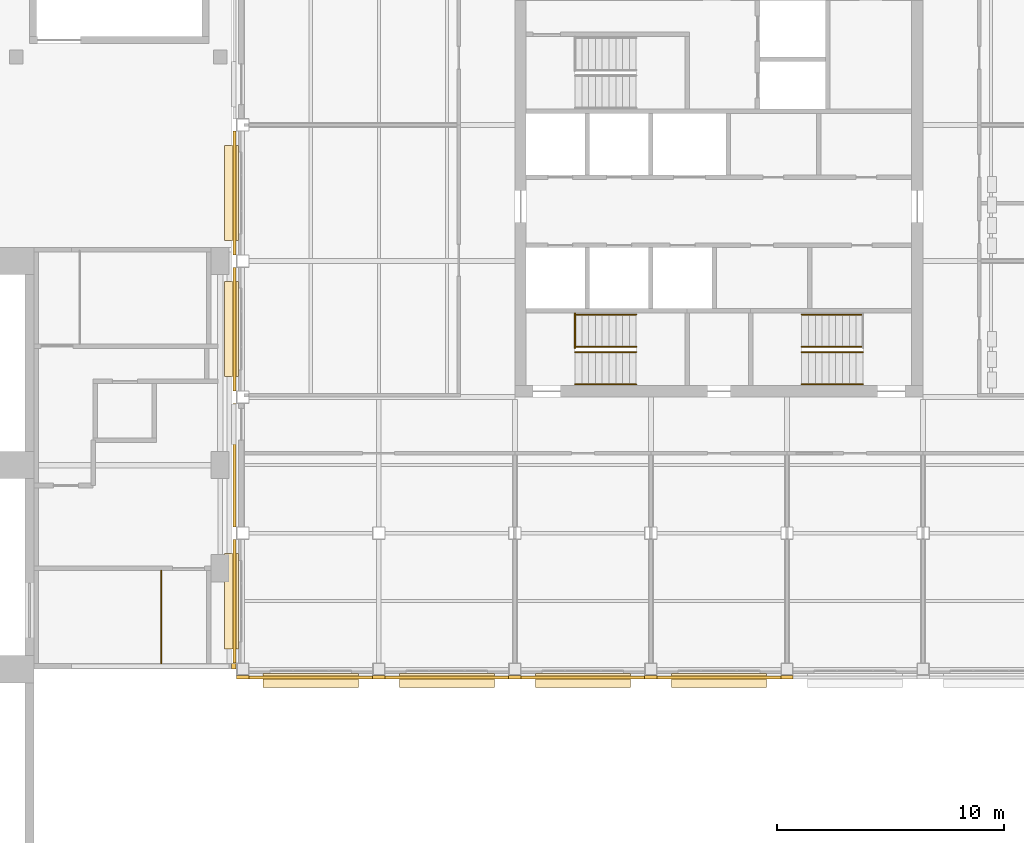
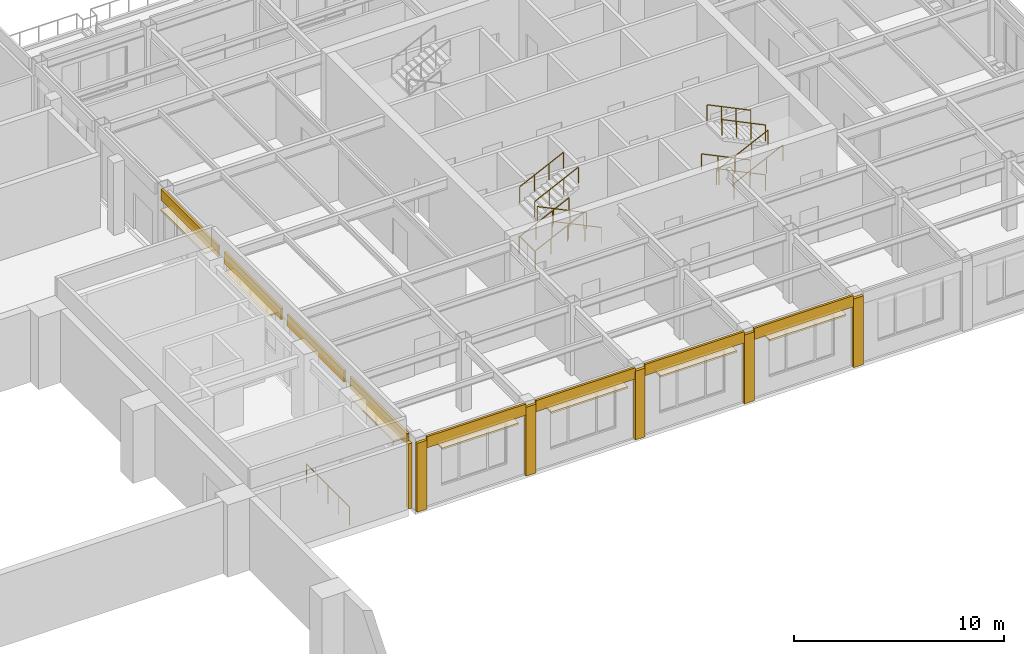
# One storey, part 34 of 39: 21 coverings, 14 railings.
"""IFC4 building model written with IfcOpenShell, lengths in metres."""

from ifc_helpers import new_model, si_unit, direction, frame, origin, origin_2d, place, context, subcontext, project, spatial, polyline, circle, outline, extrude, material, layer, layer_set, type_object, element, save


model = new_model("IFC4")

# Units and contexts
model_context = context("Model", 3, precision=1e-05, world=origin(), true_north=direction((0.0, 1.0)))
body_context = subcontext(model_context, "Body", "Model", "MODEL_VIEW")
ifc_project = project(units=[si_unit("LENGTHUNIT", "METRE"), si_unit("AREAUNIT", "SQUARE_METRE"), si_unit("VOLUMEUNIT", "CUBIC_METRE"), si_unit("PLANEANGLEUNIT", "RADIAN"), si_unit("MASSUNIT", "GRAM", prefix="KILO")], contexts=[model_context])

# Site, building, storey
site_placement = place(None, origin())
site = spatial("IfcSite", under=ifc_project, at=site_placement, CompositionType="ELEMENT")
building_placement = place(site_placement, origin())
building = spatial("IfcBuilding", under=site, at=building_placement, Name="Aravalli Gate Trade Fair Centre", CompositionType="ELEMENT")
storey_placement = place(building_placement, frame((0.0, 0.0, 15.0)))
storey = spatial("IfcBuildingStorey", under=building, at=storey_placement, Name="L03", CompositionType="ELEMENT", Elevation=15.0)

# Coverings
ifc_material_1 = material(Name="Stainless steel joint cover", Category="steel")
ifc_layer_1 = layer(ifc_material_1, 0.199951171875)
ifc_layer_set_1 = layer_set([ifc_layer_1], Name="Stainless steel joint cover")
covering_type_1 = type_object("IfcCoveringType", Name="Link seismic joint cover 200", PredefinedType="CLADDING", material=ifc_layer_set_1)
covering_1_placement = place(storey_placement, origin())
element("IfcCovering", 1, at=covering_1_placement, inside=storey, type_object=covering_type_1, Name="Seismic joint cover L03", PredefinedType="CLADDING", context=body_context, shape_type="SweptSolid", body=[
    extrude(outline(polyline([(159.5, 91.0), (159.699951171875, 91.0), (159.699951171875, 91.25), (159.5, 91.25), (159.5, 91.0)])), origin(), (0.0, 0.0, 1.0), 3.7900390625),
])
ifc_material_2 = material(Name="Terracotta", Category="masonry")
ifc_layer_2 = layer(ifc_material_2, 0.10009765625)
ifc_layer_set_2 = layer_set([ifc_layer_2], Name="Terracotta")
covering_type_2 = type_object("IfcCoveringType", Name="Wing chhajja hood 100", PredefinedType="MOLDING", material=ifc_layer_set_2)
covering_2_placement = place(storey_placement, frame((0.0, 0.0, 3.449951171875)))
element("IfcCovering", 2, at=covering_2_placement, inside=storey, type_object=covering_type_2, Name="Chhajja hood S0 L03", PredefinedType="MOLDING", context=body_context, shape_type="SweptSolid", body=[
    extrude(outline(polyline([(160.89990234375, 90.199951171875), (165.10009765625, 90.199951171875), (165.10009765625, 90.800048828125), (160.89990234375, 90.800048828125), (160.89990234375, 90.199951171875)])), origin(), (0.0, 0.0, 1.0), 0.10009765625),
])
covering_3_placement = place(storey_placement, frame((0.0, 0.0, 3.449951171875)))
element("IfcCovering", 3, at=covering_3_placement, inside=storey, type_object=covering_type_2, Name="Chhajja hood S1 L03", PredefinedType="MOLDING", context=body_context, shape_type="SweptSolid", body=[
    extrude(outline(polyline([(166.89990234375, 90.199951171875), (171.10009765625, 90.199951171875), (171.10009765625, 90.800048828125), (166.89990234375, 90.800048828125), (166.89990234375, 90.199951171875)])), origin(), (0.0, 0.0, 1.0), 0.10009765625),
])
covering_4_placement = place(storey_placement, frame((0.0, 0.0, 3.449951171875)))
element("IfcCovering", 4, at=covering_4_placement, inside=storey, type_object=covering_type_2, Name="Chhajja hood S2 L03", PredefinedType="MOLDING", context=body_context, shape_type="SweptSolid", body=[
    extrude(outline(polyline([(172.89990234375, 90.199951171875), (177.10009765625, 90.199951171875), (177.10009765625, 90.800048828125), (172.89990234375, 90.800048828125), (172.89990234375, 90.199951171875)])), origin(), (0.0, 0.0, 1.0), 0.10009765625),
])
covering_5_placement = place(storey_placement, frame((0.0, 0.0, 3.449951171875)))
element("IfcCovering", 5, at=covering_5_placement, inside=storey, type_object=covering_type_2, Name="Chhajja hood S3 L03", PredefinedType="MOLDING", context=body_context, shape_type="SweptSolid", body=[
    extrude(outline(polyline([(178.89990234375, 90.199951171875), (183.10009765625, 90.199951171875), (183.10009765625, 90.800048828125), (178.89990234375, 90.800048828125), (178.89990234375, 90.199951171875)])), origin(), (0.0, 0.0, 1.0), 0.10009765625),
])
covering_6_placement = place(storey_placement, frame((0.0, 0.0, 3.449951171875)))
element("IfcCovering", 6, at=covering_6_placement, inside=storey, type_object=covering_type_2, Name="Chhajja hood W0 L03", PredefinedType="MOLDING", context=body_context, shape_type="SweptSolid", body=[
    extrude(outline(polyline([(159.199951171875, 91.89990234375), (159.800048828125, 91.89990234375), (159.800048828125, 96.10009765625), (159.199951171875, 96.10009765625), (159.199951171875, 91.89990234375)])), origin(), (0.0, 0.0, 1.0), 0.10009765625),
])
covering_7_placement = place(storey_placement, frame((0.0, 0.0, 3.449951171875)))
element("IfcCovering", 7, at=covering_7_placement, inside=storey, type_object=covering_type_2, Name="Chhajja hood W2 L03", PredefinedType="MOLDING", context=body_context, shape_type="SweptSolid", body=[
    extrude(outline(polyline([(159.199951171875, 103.89990234375), (159.800048828125, 103.89990234375), (159.800048828125, 108.10009765625), (159.199951171875, 108.10009765625), (159.199951171875, 103.89990234375)])), origin(), (0.0, 0.0, 1.0), 0.10009765625),
])
covering_8_placement = place(storey_placement, frame((0.0, 0.0, 3.449951171875)))
element("IfcCovering", 8, at=covering_8_placement, inside=storey, type_object=covering_type_2, Name="Chhajja hood W3 L03", PredefinedType="MOLDING", context=body_context, shape_type="SweptSolid", body=[
    extrude(outline(polyline([(159.199951171875, 109.89990234375), (159.800048828125, 109.89990234375), (159.800048828125, 114.10009765625), (159.199951171875, 114.10009765625), (159.199951171875, 109.89990234375)])), origin(), (0.0, 0.0, 1.0), 0.10009765625),
])
ifc_material_3 = material(Name="Terracotta lattice", Category="masonry")
ifc_layer_3 = layer(ifc_material_3, 0.1201171875)
ifc_layer_set_3 = layer_set([ifc_layer_3], Name="Terracotta lattice")
covering_type_3 = type_object("IfcCoveringType", Name="Wing jali spandrel panel 120", PredefinedType="CLADDING", material=ifc_layer_set_3)
covering_9_placement = place(storey_placement, frame((0.0, 0.0, 3.550048828125)))
element("IfcCovering", 9, at=covering_9_placement, inside=storey, type_object=covering_type_3, Name="Jali spandrel panel S0 L03", PredefinedType="CLADDING", context=body_context, shape_type="SweptSolid", body=[
    extrude(outline(polyline([(160.27490234375, 90.574951171875), (165.72509765625, 90.574951171875), (165.72509765625, 90.695068359375), (160.27490234375, 90.695068359375), (160.27490234375, 90.574951171875)])), origin(), (0.0, 0.0, 1.0), 0.64990234375),
])
covering_10_placement = place(storey_placement, frame((0.0, 0.0, 3.550048828125)))
element("IfcCovering", 10, at=covering_10_placement, inside=storey, type_object=covering_type_3, Name="Jali spandrel panel S1 L03", PredefinedType="CLADDING", context=body_context, shape_type="SweptSolid", body=[
    extrude(outline(polyline([(166.27490234375, 90.574951171875), (171.72509765625, 90.574951171875), (171.72509765625, 90.695068359375), (166.27490234375, 90.695068359375), (166.27490234375, 90.574951171875)])), origin(), (0.0, 0.0, 1.0), 0.64990234375),
])
covering_11_placement = place(storey_placement, frame((0.0, 0.0, 3.550048828125)))
element("IfcCovering", 11, at=covering_11_placement, inside=storey, type_object=covering_type_3, Name="Jali spandrel panel S2 L03", PredefinedType="CLADDING", context=body_context, shape_type="SweptSolid", body=[
    extrude(outline(polyline([(172.27490234375, 90.574951171875), (177.72509765625, 90.574951171875), (177.72509765625, 90.695068359375), (172.27490234375, 90.695068359375), (172.27490234375, 90.574951171875)])), origin(), (0.0, 0.0, 1.0), 0.64990234375),
])
covering_12_placement = place(storey_placement, frame((0.0, 0.0, 3.550048828125)))
element("IfcCovering", 12, at=covering_12_placement, inside=storey, type_object=covering_type_3, Name="Jali spandrel panel S3 L03", PredefinedType="CLADDING", context=body_context, shape_type="SweptSolid", body=[
    extrude(outline(polyline([(178.27490234375, 90.574951171875), (183.72509765625, 90.574951171875), (183.72509765625, 90.695068359375), (178.27490234375, 90.695068359375), (178.27490234375, 90.574951171875)])), origin(), (0.0, 0.0, 1.0), 0.64990234375),
])
ifc_material_4 = material(Name="Glazed terracotta", Category="masonry")
ifc_layer_4 = layer(ifc_material_4, 0.14990234375)
ifc_layer_set_4 = layer_set([ifc_layer_4], Name="Glazed terracotta")
covering_type_4 = type_object("IfcCoveringType", Name="Wing pier casing 150", PredefinedType="CLADDING", material=ifc_layer_set_4)
covering_13_placement = place(storey_placement, origin())
element("IfcCovering", 13, at=covering_13_placement, inside=storey, type_object=covering_type_4, Name="Pier casing 18F S L03", PredefinedType="CLADDING", context=body_context, shape_type="SweptSolid", body=[
    extrude(outline(polyline([(159.72509765625, 90.574951171875), (160.27490234375, 90.574951171875), (160.27490234375, 90.72509765625), (159.72509765625, 90.72509765625), (159.72509765625, 90.574951171875)])), origin(), (0.0, 0.0, 1.0), 4.0),
])
covering_14_placement = place(storey_placement, origin())
element("IfcCovering", 14, at=covering_14_placement, inside=storey, type_object=covering_type_4, Name="Pier casing 19F S L03", PredefinedType="CLADDING", context=body_context, shape_type="SweptSolid", body=[
    extrude(outline(polyline([(165.72509765625, 90.574951171875), (166.27490234375, 90.574951171875), (166.27490234375, 90.72509765625), (165.72509765625, 90.72509765625), (165.72509765625, 90.574951171875)])), origin(), (0.0, 0.0, 1.0), 4.0),
])
covering_15_placement = place(storey_placement, origin())
element("IfcCovering", 15, at=covering_15_placement, inside=storey, type_object=covering_type_4, Name="Pier casing 20F S L03", PredefinedType="CLADDING", context=body_context, shape_type="SweptSolid", body=[
    extrude(outline(polyline([(171.72509765625, 90.574951171875), (172.27490234375, 90.574951171875), (172.27490234375, 90.72509765625), (171.72509765625, 90.72509765625), (171.72509765625, 90.574951171875)])), origin(), (0.0, 0.0, 1.0), 4.0),
])
covering_16_placement = place(storey_placement, origin())
element("IfcCovering", 16, at=covering_16_placement, inside=storey, type_object=covering_type_4, Name="Pier casing 21F S L03", PredefinedType="CLADDING", context=body_context, shape_type="SweptSolid", body=[
    extrude(outline(polyline([(177.72509765625, 90.574951171875), (178.27490234375, 90.574951171875), (178.27490234375, 90.72509765625), (177.72509765625, 90.72509765625), (177.72509765625, 90.574951171875)])), origin(), (0.0, 0.0, 1.0), 4.0),
])
covering_17_placement = place(storey_placement, origin())
element("IfcCovering", 17, at=covering_17_placement, inside=storey, type_object=covering_type_4, Name="Pier casing 22F S L03", PredefinedType="CLADDING", context=body_context, shape_type="SweptSolid", body=[
    extrude(outline(polyline([(183.72509765625, 90.574951171875), (184.27490234375, 90.574951171875), (184.27490234375, 90.72509765625), (183.72509765625, 90.72509765625), (183.72509765625, 90.574951171875)])), origin(), (0.0, 0.0, 1.0), 4.0),
])
ifc_layer_5 = layer(ifc_material_4, 0.1201171875)
ifc_layer_set_5 = layer_set([ifc_layer_5], Name="Glazed terracotta")
covering_type_5 = type_object("IfcCoveringType", Name="Wing spandrel band 120", PredefinedType="CLADDING", material=ifc_layer_set_5)
covering_18_placement = place(storey_placement, frame((0.0, 0.0, 3.550048828125)))
element("IfcCovering", 18, at=covering_18_placement, inside=storey, type_object=covering_type_5, Name="Spandrel band W0 L03", PredefinedType="CLADDING", context=body_context, shape_type="SweptSolid", body=[
    extrude(outline(polyline([(159.574951171875, 91.27490234375), (159.695068359375, 91.27490234375), (159.695068359375, 96.72509765625), (159.574951171875, 96.72509765625), (159.574951171875, 91.27490234375)])), origin(), (0.0, 0.0, 1.0), 0.64990234375),
])
covering_19_placement = place(storey_placement, frame((0.0, 0.0, 3.550048828125)))
element("IfcCovering", 19, at=covering_19_placement, inside=storey, type_object=covering_type_5, Name="Spandrel band W1 L03", PredefinedType="CLADDING", context=body_context, shape_type="SweptSolid", body=[
    extrude(outline(polyline([(159.574951171875, 97.27490234375), (159.695068359375, 97.27490234375), (159.695068359375, 102.72509765625), (159.574951171875, 102.72509765625), (159.574951171875, 97.27490234375)])), origin(), (0.0, 0.0, 1.0), 0.64990234375),
])
covering_20_placement = place(storey_placement, frame((0.0, 0.0, 3.550048828125)))
element("IfcCovering", 20, at=covering_20_placement, inside=storey, type_object=covering_type_5, Name="Spandrel band W2 L03", PredefinedType="CLADDING", context=body_context, shape_type="SweptSolid", body=[
    extrude(outline(polyline([(159.574951171875, 103.27490234375), (159.695068359375, 103.27490234375), (159.695068359375, 108.72509765625), (159.574951171875, 108.72509765625), (159.574951171875, 103.27490234375)])), origin(), (0.0, 0.0, 1.0), 0.64990234375),
])
covering_21_placement = place(storey_placement, frame((0.0, 0.0, 3.550048828125)))
element("IfcCovering", 21, at=covering_21_placement, inside=storey, type_object=covering_type_5, Name="Spandrel band W3 L03", PredefinedType="CLADDING", context=body_context, shape_type="SweptSolid", body=[
    extrude(outline(polyline([(159.574951171875, 109.27490234375), (159.695068359375, 109.27490234375), (159.695068359375, 114.72509765625), (159.574951171875, 114.72509765625), (159.574951171875, 109.27490234375)])), origin(), (0.0, 0.0, 1.0), 0.64990234375),
])

# Railings
ifc_material_5 = material(Name="Steel E350", Category="steel")
railing_type_1 = type_object("IfcRailingType", Name="Wing stair handrail", PredefinedType="HANDRAIL", material=ifc_material_5)
for number, where, name in (
    (22, (174.64990234375, 105.219970703125, 0.144775390625), "Handrail S2 L03 1a"),
    (23, (174.64990234375, 106.639892578125, 0.144775390625), "Handrail S2 L03 1b"),
):
    element("IfcRailing", number, at=place(storey_placement, frame(where)), inside=storey, type_object=railing_type_1, Name=name, PredefinedType="HANDRAIL", context=body_context, shape_type="SweptSolid", body=[
        extrude(circle(Radius=0.02392578125, at=origin_2d()), frame((0.0, 0.0, 0.92578125), z_axis=(0.900561529634, 0.0, 0.434728572036), x_axis=(0.0, 1.0, 0.0)), (0.0, 0.0, 1.0), 2.998291015625),
        extrude(circle(Radius=0.02099609375, at=origin_2d()), origin(), (0.0, 0.0, 1.0), 0.90185546875),
        extrude(circle(Radius=0.02099609375, at=origin_2d()), frame((0.900146484375, 0.0, 0.4345703125)), (0.0, 0.0, 1.0), 0.90185546875),
        extrude(circle(Radius=0.02099609375, at=origin_2d()), frame((1.800048828125, 0.0, 0.868896484375)), (0.0, 0.0, 1.0), 0.90185546875),
        extrude(circle(Radius=0.02099609375, at=origin_2d()), frame((2.7001953125, 0.0, 1.303466796875)), (0.0, 0.0, 1.0), 0.90185546875),
    ])
for number, where, name in (
    (24, (177.35009765625, 103.56005859375, 1.593017578125), "Handrail S2 L03 2a"),
    (25, (177.35009765625, 104.97998046875, 1.593017578125), "Handrail S2 L03 2b"),
):
    element("IfcRailing", number, at=place(storey_placement, frame(where)), inside=storey, type_object=railing_type_1, Name=name, PredefinedType="HANDRAIL", context=body_context, shape_type="SweptSolid", body=[
        extrude(circle(Radius=0.02392578125, at=origin_2d()), frame((0.0, 0.0, 0.92578125), z_axis=(-0.900561529634, 0.0, 0.434728572036), x_axis=(0.0, -1.0, 0.0)), (0.0, 0.0, 1.0), 2.998291015625),
        extrude(circle(Radius=0.02099609375, at=origin_2d()), origin(), (0.0, 0.0, 1.0), 0.90185546875),
        extrude(circle(Radius=0.02099609375, at=origin_2d()), frame((-0.900146484375, 0.0, 0.4345703125)), (0.0, 0.0, 1.0), 0.90185546875),
        extrude(circle(Radius=0.02099609375, at=origin_2d()), frame((-1.800048828125, 0.0, 0.868896484375)), (0.0, 0.0, 1.0), 0.90185546875),
        extrude(circle(Radius=0.02099609375, at=origin_2d()), frame((-2.7001953125, 0.0, 1.303466796875)), (0.0, 0.0, 1.0), 0.90185546875),
    ])
for number, where, name in (
    (26, (174.64990234375, 105.219970703125, 3.041259765625), "Handrail S2 L03 3a"),
    (27, (174.64990234375, 106.639892578125, 3.041259765625), "Handrail S2 L03 3b"),
):
    element("IfcRailing", number, at=place(storey_placement, frame(where)), inside=storey, type_object=railing_type_1, Name=name, PredefinedType="HANDRAIL", context=body_context, shape_type="SweptSolid", body=[
        extrude(circle(Radius=0.02392578125, at=origin_2d()), frame((0.0, 0.0, 0.92578125), z_axis=(0.900551636365, 0.0, 0.434749065831), x_axis=(0.0, 1.0, 0.0)), (0.0, 0.0, 1.0), 2.665283203125),
        extrude(circle(Radius=0.02099609375, at=origin_2d()), origin(), (0.0, 0.0, 1.0), 0.90185546875),
        extrude(circle(Radius=0.02099609375, at=origin_2d()), frame((0.800048828125, 0.0, 0.38623046875)), (0.0, 0.0, 1.0), 0.90185546875),
        extrude(circle(Radius=0.02099609375, at=origin_2d()), frame((1.60009765625, 0.0, 0.7724609375)), (0.0, 0.0, 1.0), 0.90185546875),
        extrude(circle(Radius=0.02099609375, at=origin_2d()), frame((2.400146484375, 0.0, 1.15869140625)), (0.0, 0.0, 1.0), 0.90185546875),
    ])
for number, where, name in (
    (28, (187.35009765625, 105.219970703125, 0.144775390625), "Handrail S1 L03 1a"),
    (29, (187.35009765625, 106.639892578125, 0.144775390625), "Handrail S1 L03 1b"),
):
    element("IfcRailing", number, at=place(storey_placement, frame(where)), inside=storey, type_object=railing_type_1, Name=name, PredefinedType="HANDRAIL", context=body_context, shape_type="SweptSolid", body=[
        extrude(circle(Radius=0.02392578125, at=origin_2d()), frame((0.0, 0.0, 0.92578125), z_axis=(-0.900561529634, 0.0, 0.434728572036), x_axis=(0.0, -1.0, 0.0)), (0.0, 0.0, 1.0), 2.998291015625),
        extrude(circle(Radius=0.02099609375, at=origin_2d()), origin(), (0.0, 0.0, 1.0), 0.90185546875),
        extrude(circle(Radius=0.02099609375, at=origin_2d()), frame((-0.900146484375, 0.0, 0.4345703125)), (0.0, 0.0, 1.0), 0.90185546875),
        extrude(circle(Radius=0.02099609375, at=origin_2d()), frame((-1.800048828125, 0.0, 0.868896484375)), (0.0, 0.0, 1.0), 0.90185546875),
        extrude(circle(Radius=0.02099609375, at=origin_2d()), frame((-2.7001953125, 0.0, 1.303466796875)), (0.0, 0.0, 1.0), 0.90185546875),
    ])
for number, where, name in (
    (30, (184.64990234375, 103.56005859375, 1.593017578125), "Handrail S1 L03 2a"),
    (31, (184.64990234375, 104.97998046875, 1.593017578125), "Handrail S1 L03 2b"),
):
    element("IfcRailing", number, at=place(storey_placement, frame(where)), inside=storey, type_object=railing_type_1, Name=name, PredefinedType="HANDRAIL", context=body_context, shape_type="SweptSolid", body=[
        extrude(circle(Radius=0.02392578125, at=origin_2d()), frame((0.0, 0.0, 0.92578125), z_axis=(0.900561529634, 0.0, 0.434728572036), x_axis=(0.0, 1.0, 0.0)), (0.0, 0.0, 1.0), 2.998291015625),
        extrude(circle(Radius=0.02099609375, at=origin_2d()), origin(), (0.0, 0.0, 1.0), 0.90185546875),
        extrude(circle(Radius=0.02099609375, at=origin_2d()), frame((0.900146484375, 0.0, 0.4345703125)), (0.0, 0.0, 1.0), 0.90185546875),
        extrude(circle(Radius=0.02099609375, at=origin_2d()), frame((1.800048828125, 0.0, 0.868896484375)), (0.0, 0.0, 1.0), 0.90185546875),
        extrude(circle(Radius=0.02099609375, at=origin_2d()), frame((2.7001953125, 0.0, 1.303466796875)), (0.0, 0.0, 1.0), 0.90185546875),
    ])
for number, where, name in (
    (32, (187.35009765625, 105.219970703125, 3.041259765625), "Handrail S1 L03 3a"),
    (33, (187.35009765625, 106.639892578125, 3.041259765625), "Handrail S1 L03 3b"),
):
    element("IfcRailing", number, at=place(storey_placement, frame(where)), inside=storey, type_object=railing_type_1, Name=name, PredefinedType="HANDRAIL", context=body_context, shape_type="SweptSolid", body=[
        extrude(circle(Radius=0.02392578125, at=origin_2d()), frame((0.0, 0.0, 0.92578125), z_axis=(-0.900551636365, 0.0, 0.434749065831), x_axis=(0.0, -1.0, 0.0)), (0.0, 0.0, 1.0), 2.665283203125),
        extrude(circle(Radius=0.02099609375, at=origin_2d()), origin(), (0.0, 0.0, 1.0), 0.90185546875),
        extrude(circle(Radius=0.02099609375, at=origin_2d()), frame((-0.800048828125, 0.0, 0.38623046875)), (0.0, 0.0, 1.0), 0.90185546875),
        extrude(circle(Radius=0.02099609375, at=origin_2d()), frame((-1.60009765625, 0.0, 0.7724609375)), (0.0, 0.0, 1.0), 0.90185546875),
        extrude(circle(Radius=0.02099609375, at=origin_2d()), frame((-2.400146484375, 0.0, 1.15869140625)), (0.0, 0.0, 1.0), 0.90185546875),
    ])
railing_type_2 = type_object("IfcRailingType", Name="Wing stair roof guard", PredefinedType="GUARDRAIL", material=ifc_material_5)
railing_1_placement = place(storey_placement, frame((174.64990234375, 105.159912109375, 0.0)))
element("IfcRailing", 34, at=railing_1_placement, inside=storey, type_object=railing_type_2, Name="Guard S2 landing L03", PredefinedType="GUARDRAIL", context=body_context, shape_type="SweptSolid", body=[
    extrude(circle(Radius=0.02392578125, at=origin_2d()), frame((0.0, 0.0, 1.076171875), z_axis=(0.0, 1.0, 0.0), x_axis=(-1.0, 0.0, 0.0)), (0.0, 0.0, 1.0), 1.5400390625),
    extrude(circle(Radius=0.02099609375, at=origin_2d()), origin(), (0.0, 0.0, 1.0), 1.052001953125),
    extrude(circle(Radius=0.02099609375, at=origin_2d()), frame((0.0, 0.77001953125, 0.0)), (0.0, 0.0, 1.0), 1.052001953125),
    extrude(circle(Radius=0.02099609375, at=origin_2d()), frame((0.0, 1.5400390625, 0.0)), (0.0, 0.0, 1.0), 1.052001953125),
])
railing_2_placement = place(storey_placement, frame((156.39697265625, 91.25, 0.0)))
element("IfcRailing", 35, at=railing_2_placement, inside=storey, type_object=railing_type_2, Name="Guard LA landing L03", PredefinedType="GUARDRAIL", context=body_context, shape_type="SweptSolid", body=[
    extrude(circle(Radius=0.02392578125, at=origin_2d()), frame((0.0, 0.0, 1.076171875), z_axis=(0.0, 1.0, 0.0), x_axis=(-1.0, 0.0, 0.0)), (0.0, 0.0, 1.0), 4.10009765625),
    extrude(circle(Radius=0.02099609375, at=origin_2d()), origin(), (0.0, 0.0, 1.0), 1.052001953125),
    extrude(circle(Radius=0.02099609375, at=origin_2d()), frame((0.0, 1.02490234375, 0.0)), (0.0, 0.0, 1.0), 1.052001953125),
    extrude(circle(Radius=0.02099609375, at=origin_2d()), frame((0.0, 2.050048828125, 0.0)), (0.0, 0.0, 1.0), 1.052001953125),
    extrude(circle(Radius=0.02099609375, at=origin_2d()), frame((0.0, 3.0751953125, 0.0)), (0.0, 0.0, 1.0), 1.052001953125),
    extrude(circle(Radius=0.02099609375, at=origin_2d()), frame((0.0, 4.10009765625, 0.0)), (0.0, 0.0, 1.0), 1.052001953125),
])

save(model, "model.ifc")
